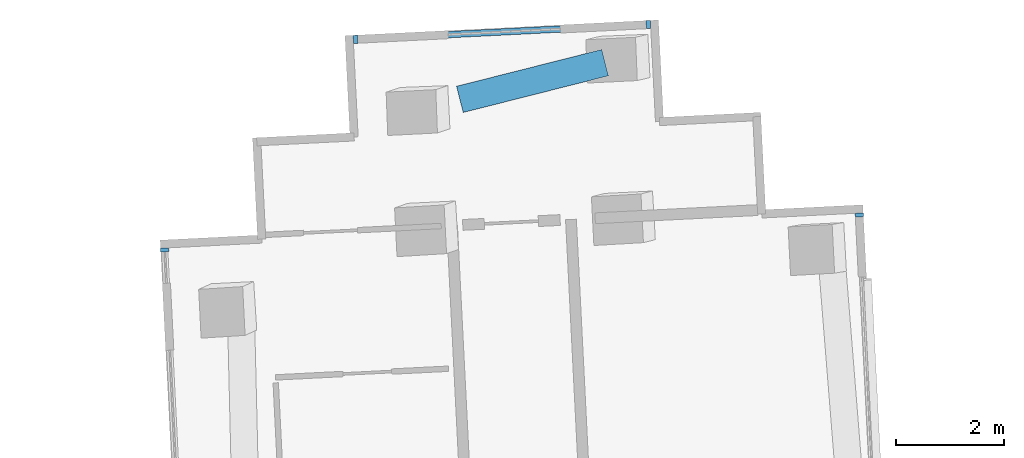
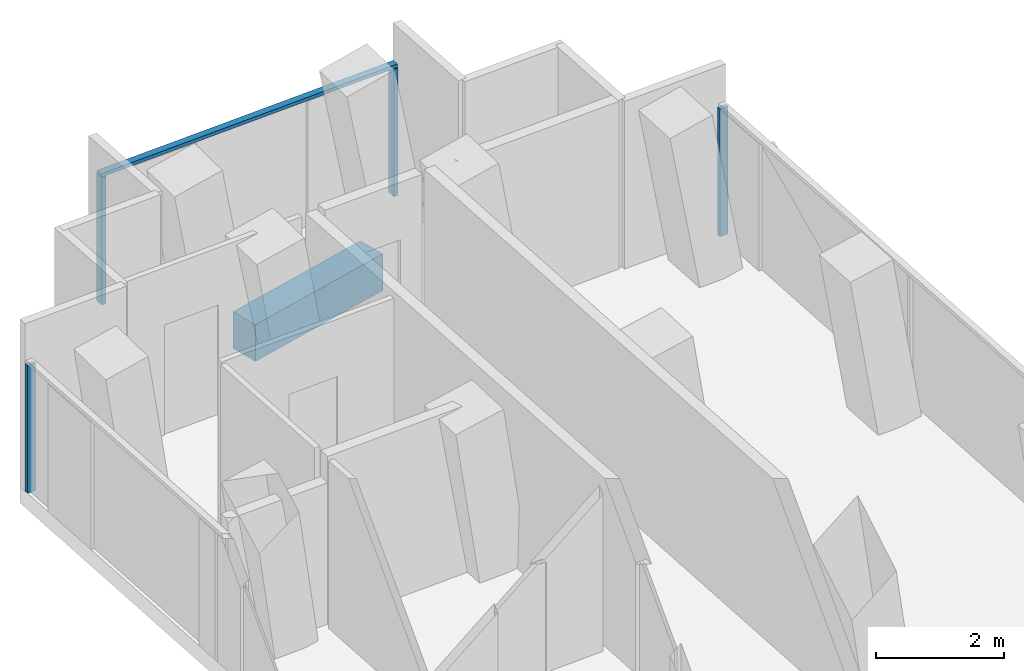
# One storey, part 12 of 25: 5 members, 1 beam, 3 elements without a shape of their own.
"""IFC4 building model written with IfcOpenShell, lengths in metres."""

from ifc_helpers import new_model, si_unit, direction, frame, origin, origin_2d, place, context, subcontext, project, spatial, rectangle, extrude, material, layer, layer_set, material_profile, profile_set, type_object, element, aggregate, save


model = new_model("IFC4")

# Units and contexts
model_context = context("Model", 3, precision=1e-05, world=origin(), true_north=direction((0.0, 1.0)))
body_context = subcontext(model_context, "Body", "Model", "MODEL_VIEW")
ifc_project = project(units=[si_unit("LENGTHUNIT", "METRE"), si_unit("AREAUNIT", "SQUARE_METRE"), si_unit("VOLUMEUNIT", "CUBIC_METRE"), si_unit("PLANEANGLEUNIT", "RADIAN"), si_unit("MASSUNIT", "GRAM", prefix="KILO")], contexts=[model_context])

# Site, building, storey
site_placement = place(None, origin())
site = spatial("IfcSite", under=ifc_project, at=site_placement, CompositionType="ELEMENT")
building_placement = place(site_placement, origin())
building = spatial("IfcBuilding", under=site, at=building_placement, Name="Verdalira Terraces Hotel", CompositionType="ELEMENT")
storey_placement = place(building_placement, frame((0.0, 0.0, 46.0)))
storey = spatial("IfcBuildingStorey", under=building, at=storey_placement, Name="L09", CompositionType="ELEMENT", Elevation=46.0)

# Curtain wall, member
ifc_material_1 = material(Name="Clear glass", Category="glass")
ifc_layer_1 = layer(ifc_material_1, 0.14990234375)
ifc_layer_set_1 = layer_set([ifc_layer_1], Name="CW2 curtain wall")
curtain_wall_type_1 = type_object("IfcCurtainWallType", Name="CW2 curtain wall", PredefinedType="NOTDEFINED", material=ifc_layer_set_1)
curtain_wall_1_placement = place(storey_placement, origin())
curtain_wall_1 = element("IfcCurtainWall", 1, at=curtain_wall_1_placement, inside=storey, type_object=curtain_wall_type_1, Name="CW2 curtain wall L09 edge 0", PredefinedType="NOTDEFINED")
ifc_material_2 = material(Name="Terracotta frame", Category="masonry")
ifc_material_profile_1 = material_profile(ifc_material_2, rectangle(XDim=0.070068, YDim=0.149902, at=origin_2d()), Name="MU 70x150")
ifc_profile_set_1 = profile_set([ifc_material_profile_1], Name="Terracotta frame")
member_type_1 = type_object("IfcMemberType", Name="CW2 mullion 70x150", PredefinedType="MULLION", material=ifc_profile_set_1)
member_1_placement = place(storey_placement, frame((4.357178, 41.264648, 0.0), z_axis=(0.0, 0.0, 1.0), x_axis=(-0.050244318, 0.998736957, 0.0)))
member_1 = element("IfcMember", 2, at=member_1_placement, type_object=member_type_1, Name="CW2 mullion", PredefinedType="MULLION", context=body_context, shape_type="SweptSolid", body=[
    extrude(rectangle(XDim=0.070068, YDim=0.149902, at=origin_2d()), origin(), (0.0, 0.0, 1.0), 2.425049),
])
aggregate(curtain_wall_1, [member_1])

curtain_wall_2_placement = place(storey_placement, origin())
curtain_wall_2 = element("IfcCurtainWall", 3, at=curtain_wall_2_placement, inside=storey, type_object=curtain_wall_type_1, Name="CW2 curtain wall L09 edge 10", PredefinedType="NOTDEFINED")
member_2_placement = place(storey_placement, frame((-8.476562, 40.618896, 0.0), z_axis=(0.0, 0.0, 1.0), x_axis=(0.050244318, -0.998736957, 0.0)))
member_2 = element("IfcMember", 4, at=member_2_placement, type_object=member_type_1, Name="CW2 mullion", PredefinedType="MULLION", context=body_context, shape_type="SweptSolid", body=[
    extrude(rectangle(XDim=0.070068, YDim=0.149902, at=origin_2d()), origin(), (0.0, 0.0, 1.0), 2.425049),
])
aggregate(curtain_wall_2, [member_2])

# Curtain wall, members
ifc_material_3 = material(Name="Clear glass", Category="glass")
ifc_layer_2 = layer(ifc_material_3, 0.14990234375)
ifc_layer_set_2 = layer_set([ifc_layer_2], Name="CW3 curtain wall")
curtain_wall_type_2 = type_object("IfcCurtainWallType", Name="CW3 curtain wall", PredefinedType="NOTDEFINED", material=ifc_layer_set_2)
curtain_wall_3_placement = place(storey_placement, origin())
curtain_wall_3 = element("IfcCurtainWall", 5, at=curtain_wall_3_placement, inside=storey, type_object=curtain_wall_type_2, Name="CW3 curtain wall L09 edge 5", PredefinedType="NOTDEFINED")
ifc_material_4 = material(Name="Terracotta frame", Category="masonry")
ifc_material_profile_2 = material_profile(ifc_material_4, rectangle(XDim=0.080078, YDim=0.149902, at=origin_2d()), Name="MU 80x150")
ifc_profile_set_2 = profile_set([ifc_material_profile_2], Name="Terracotta frame")
member_type_2 = type_object("IfcMemberType", Name="CW3 mullion 80x150", PredefinedType="MULLION", material=ifc_profile_set_2)
member_3_placement = place(storey_placement, frame((0.460449, 44.783203, 0.0), z_axis=(0.0, 0.0, 1.0), x_axis=(-0.998736957, -0.050244318, 0.0)))
member_3 = element("IfcMember", 6, at=member_3_placement, type_object=member_type_2, Name="CW3 mullion", PredefinedType="MULLION", context=body_context, shape_type="SweptSolid", body=[
    extrude(rectangle(XDim=0.080078, YDim=0.149902, at=origin_2d()), origin(), (0.0, 0.0, 1.0), 2.425049),
])
member_4_placement = place(storey_placement, frame((-4.952637, 44.510986, 0.0), z_axis=(0.0, 0.0, 1.0), x_axis=(-0.998736957, -0.050244318, 0.0)))
member_4 = element("IfcMember", 7, at=member_4_placement, type_object=member_type_2, Name="CW3 mullion", PredefinedType="MULLION", context=body_context, shape_type="SweptSolid", body=[
    extrude(rectangle(XDim=0.080078, YDim=0.149902, at=origin_2d()), origin(), (0.0, 0.0, 1.0), 2.425049),
])
ifc_material_5 = material(Name="Terracotta frame", Category="masonry")
ifc_material_profile_3 = material_profile(ifc_material_5, rectangle(XDim=0.120117, YDim=0.064941, at=origin_2d()), Name="TR 65x120")
ifc_profile_set_3 = profile_set([ifc_material_profile_3], Name="Terracotta frame")
member_type_3 = type_object("IfcMemberType", Name="CW3 transom 65x120", PredefinedType="USERDEFINED", material=ifc_profile_set_3)
member_5_placement = place(storey_placement, frame((0.500488, 44.785156, 2.45752), z_axis=(-0.998736794, -0.050247558, 0.0), x_axis=(0.050247558, -0.998736794, 0.0)))
member_5 = element("IfcMember", 8, at=member_5_placement, type_object=member_type_3, Name="CW3 transom", ObjectType="TRANSOM", PredefinedType="USERDEFINED", context=body_context, shape_type="SweptSolid", body=[
    extrude(rectangle(XDim=0.120117, YDim=0.064941, at=origin_2d()), origin(), (0.0, 0.0, 1.0), 5.5),
])
aggregate(curtain_wall_3, [member_3, member_4, member_5])

# Beam
ifc_material_6 = material(Name="Concrete C70", Category="concrete")
ifc_material_profile_4 = material_profile(ifc_material_6, rectangle(XDim=0.5, YDim=0.699951, at=origin_2d()), Name="RC 500X700")
ifc_profile_set_4 = profile_set([ifc_material_profile_4], Name="Concrete C70")
beam_type = type_object("IfcBeamType", Name="Spandrel beam RC 500X700 C70", PredefinedType="SPANDREL", material=ifc_profile_set_4)
beam_placement = place(storey_placement, frame((-0.339844, 44.079102, -0.659912), z_axis=(-0.969495509, -0.245109076, 0.0), x_axis=(0.245109076, -0.969495509, 0.0)))
element("IfcBeam", 9, at=beam_placement, inside=storey, type_object=beam_type, Name="Spandrel beam B04", PredefinedType="SPANDREL", context=body_context, shape_type="SweptSolid", body=[
    extrude(rectangle(XDim=0.5, YDim=0.699951, at=origin_2d()), origin(), (0.0, 0.0, 1.0), 2.76709),
])

save(model, "model.ifc")
